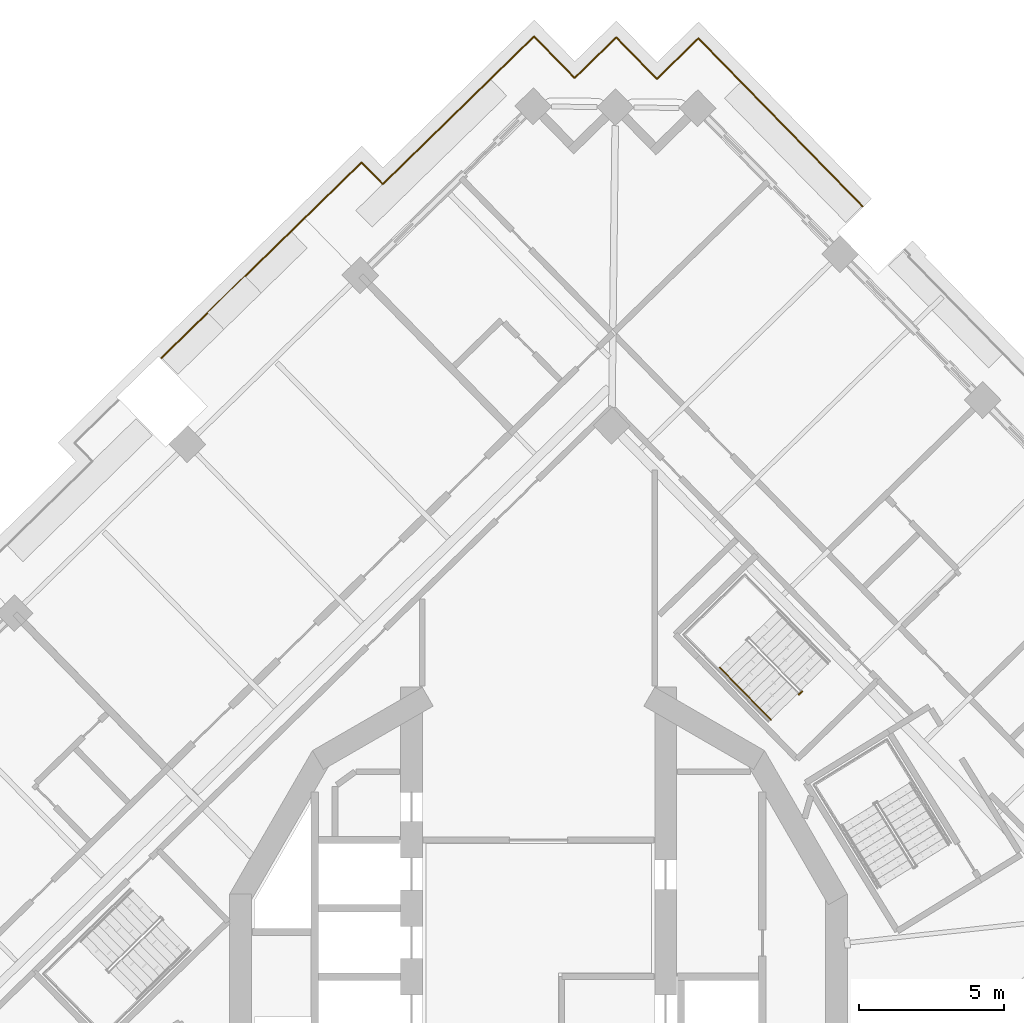
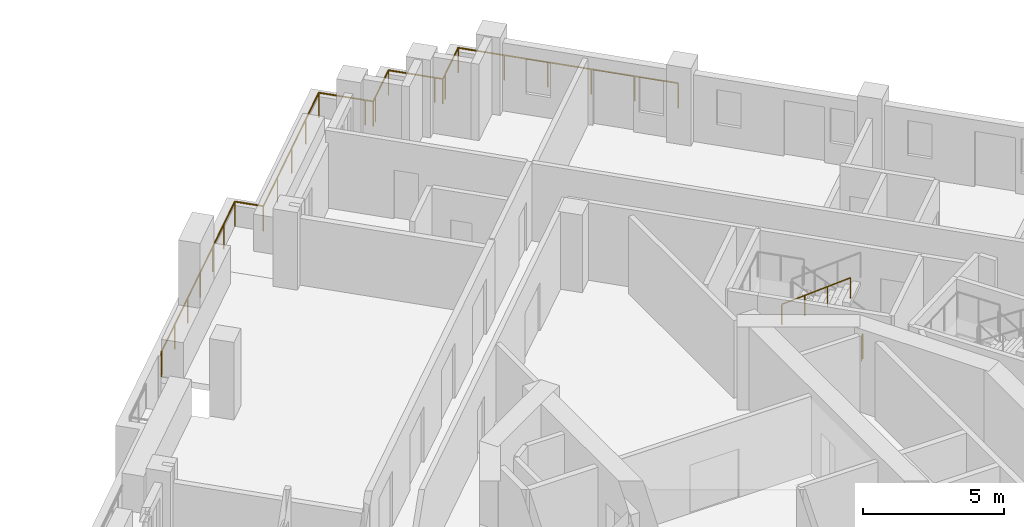
# One storey, part 16 of 19: 3 railings.
"""IFC4 building model written with IfcOpenShell, lengths in metres."""

from ifc_helpers import new_model, si_unit, direction, frame, origin, origin_2d, place, context, subcontext, project, spatial, circle, extrude, material, type_object, element, save


model = new_model("IFC4")

# Units and contexts
model_context = context("Model", 3, precision=1e-05, world=origin(), true_north=direction((0.0, 1.0)))
body_context = subcontext(model_context, "Body", "Model", "MODEL_VIEW")
ifc_project = project(units=[si_unit("LENGTHUNIT", "METRE"), si_unit("AREAUNIT", "SQUARE_METRE"), si_unit("VOLUMEUNIT", "CUBIC_METRE"), si_unit("PLANEANGLEUNIT", "RADIAN"), si_unit("MASSUNIT", "GRAM", prefix="KILO")], contexts=[model_context])

# Site, building, storey
site_placement = place(None, origin())
site = spatial("IfcSite", under=ifc_project, at=site_placement, CompositionType="ELEMENT")
building_placement = place(site_placement, origin())
building = spatial("IfcBuilding", under=site, at=building_placement, Name="Cantera Rosa Tower", CompositionType="ELEMENT")
storey_placement = place(building_placement, frame((0.0, 0.0, 216.199951171875)))
storey = spatial("IfcBuildingStorey", under=building, at=storey_placement, Name="L46", CompositionType="ELEMENT", Elevation=216.199951171875)

# Railings
ifc_material_1 = material(Name="Stainless steel and laminated glass", Category="steel")
railing_type_1 = type_object("IfcRailingType", Name="GUARD 1100", PredefinedType="BALUSTRADE", material=ifc_material_1)
railing_1_placement = place(storey_placement, frame((-12.980712890625, 21.285400390625, 0.0)))
element("IfcRailing", 1, at=railing_1_placement, inside=storey, type_object=railing_type_1, Name="GUARD L46-5", PredefinedType="BALUSTRADE", context=body_context, shape_type="SweptSolid", body=[
    extrude(circle(Radius=0.030029296875, at=origin_2d()), frame((0.0, 0.0, 1.070068359375), z_axis=(0.715257047886, 0.698861470857, 0.0), x_axis=(-0.698861470857, 0.715257047886, 0.0)), (0.0, 0.0, 1.0), 0.119140625),
    extrude(circle(Radius=0.030029296875, at=origin_2d()), frame((0.085205078125, 0.083251953125, 1.070068359375), z_axis=(0.554700196225, 0.832050294338, 0.0), x_axis=(-0.832050294338, 0.554700196225, 0.0)), (0.0, 0.0, 1.0), 0.0009765625),
    extrude(circle(Radius=0.030029296875, at=origin_2d()), frame((0.085693359375, 0.083984375, 1.070068359375), z_axis=(0.715301151788, 0.69881632941, 0.0), x_axis=(-0.69881632941, 0.715301151788, 0.0)), (0.0, 0.0, 1.0), 6.6201171875),
    extrude(circle(Radius=0.030029296875, at=origin_2d()), frame((4.821044921875, 4.710205078125, 1.070068359375), z_axis=(0.894427191, 0.4472135955, 0.0), x_axis=(-0.4472135955, 0.894427191, 0.0)), (0.0, 0.0, 1.0), 0.00048828125),
    extrude(circle(Radius=0.030029296875, at=origin_2d()), frame((4.821533203125, 4.71044921875, 1.070068359375), z_axis=(0.715237003554, 0.698881984849, 0.0), x_axis=(-0.698881984849, 0.715237003554, 0.0)), (0.0, 0.0, 1.0), 2.89599609375),
    extrude(circle(Radius=0.030029296875, at=origin_2d()), frame((6.892822265625, 6.734375, 1.070068359375), z_axis=(0.698894981682, -0.715224303684, 0.0), x_axis=(0.715224303684, 0.698894981682, 0.0)), (0.0, 0.0, 1.0), 1.046630859375),
    extrude(circle(Radius=0.030029296875, at=origin_2d()), frame((7.624267578125, 5.98583984375, 1.070068359375), z_axis=(0.715294189675, 0.698823455686, 0.0), x_axis=(-0.698823455686, 0.715294189675, 0.0)), (0.0, 0.0, 1.0), 5.5732421875),
    extrude(circle(Radius=0.030029296875, at=origin_2d()), frame((11.61083984375, 9.880615234375, 1.070068359375), z_axis=(0.715316077832, 0.69880105094, 0.0), x_axis=(-0.69880105094, 0.715316077832, 0.0)), (0.0, 0.0, 1.0), 1.699951171875),
    extrude(circle(Radius=0.030029296875, at=origin_2d()), frame((12.826904296875, 11.068603515625, 1.070068359375), z_axis=(0.698872839675, -0.715245939495, 0.0), x_axis=(0.715245939495, 0.698872839675, 0.0)), (0.0, 0.0, 1.0), 1.699951171875),
    extrude(circle(Radius=0.030029296875, at=origin_2d()), frame((14.014892578125, 9.852783203125, 1.070068359375), z_axis=(0.698506948293, -0.715603272202, 0.0), x_axis=(0.715603272202, 0.698506948293, 0.0)), (0.0, 0.0, 1.0), 0.2998046875),
    extrude(circle(Radius=0.030029296875, at=origin_2d()), frame((14.224365234375, 9.63818359375, 1.070068359375), z_axis=(0.715196445894, 0.698923489218, 0.0), x_axis=(-0.698923489218, 0.715196445894, 0.0)), (0.0, 0.0, 1.0), 0.300048828125),
    extrude(circle(Radius=0.030029296875, at=origin_2d()), frame((14.43896484375, 9.847900390625, 1.070068359375), z_axis=(0.715316077832, 0.69880105094, 0.0), x_axis=(-0.69880105094, 0.715316077832, 0.0)), (0.0, 0.0, 1.0), 1.699951171875),
    extrude(circle(Radius=0.030029296875, at=origin_2d()), frame((15.655029296875, 11.035888671875, 1.070068359375), z_axis=(0.69880105094, -0.715316077832, 0.0), x_axis=(0.715316077832, 0.69880105094, 0.0)), (0.0, 0.0, 1.0), 1.699951171875),
    extrude(circle(Radius=0.030029296875, at=origin_2d()), frame((16.843017578125, 9.81982421875, 1.070068359375), z_axis=(0.698923489218, -0.715196445894, 0.0), x_axis=(0.715196445894, 0.698923489218, 0.0)), (0.0, 0.0, 1.0), 0.300048828125),
    extrude(circle(Radius=0.030029296875, at=origin_2d()), frame((17.052734375, 9.605224609375, 1.070068359375), z_axis=(0.715196445894, 0.698923489218, 0.0), x_axis=(-0.698923489218, 0.715196445894, 0.0)), (0.0, 0.0, 1.0), 0.300048828125),
    extrude(circle(Radius=0.030029296875, at=origin_2d()), frame((17.267333984375, 9.81494140625, 1.070068359375), z_axis=(0.715316077832, 0.69880105094, 0.0), x_axis=(-0.69880105094, 0.715316077832, 0.0)), (0.0, 0.0, 1.0), 1.699951171875),
    extrude(circle(Radius=0.030029296875, at=origin_2d()), frame((18.4833984375, 11.0029296875, 1.070068359375), z_axis=(0.69880105094, -0.715316077832, 0.0), x_axis=(0.715316077832, 0.69880105094, 0.0)), (0.0, 0.0, 1.0), 1.699951171875),
    extrude(circle(Radius=0.030029296875, at=origin_2d()), frame((19.67138671875, 9.786865234375, 1.070068359375), z_axis=(0.698825008445, -0.715292672668, 0.0), x_axis=(0.715292672668, 0.698825008445, 0.0)), (0.0, 0.0, 1.0), 6.389892578125),
    extrude(circle(Radius=0.02490234375, at=origin_2d()), origin(), (0.0, 0.0, 1.0), 1.0400390625),
    extrude(circle(Radius=0.02490234375, at=origin_2d()), frame((0.085205078125, 0.083251953125, 0.0)), (0.0, 0.0, 1.0), 1.0400390625),
    extrude(circle(Radius=0.02490234375, at=origin_2d()), frame((0.085693359375, 0.083984375, 0.0)), (0.0, 0.0, 1.0), 1.0400390625),
    extrude(circle(Radius=0.02490234375, at=origin_2d()), frame((1.26953125, 1.240478515625, 0.0)), (0.0, 0.0, 1.0), 1.0400390625),
    extrude(circle(Radius=0.02490234375, at=origin_2d()), frame((2.453369140625, 2.39697265625, 0.0)), (0.0, 0.0, 1.0), 1.0400390625),
    extrude(circle(Radius=0.02490234375, at=origin_2d()), frame((3.63720703125, 3.5537109375, 0.0)), (0.0, 0.0, 1.0), 1.0400390625),
    extrude(circle(Radius=0.02490234375, at=origin_2d()), frame((4.821044921875, 4.710205078125, 0.0)), (0.0, 0.0, 1.0), 1.0400390625),
    extrude(circle(Radius=0.02490234375, at=origin_2d()), frame((4.821533203125, 4.71044921875, 0.0)), (0.0, 0.0, 1.0), 1.0400390625),
    extrude(circle(Radius=0.02490234375, at=origin_2d()), frame((5.857177734375, 5.722412109375, 0.0)), (0.0, 0.0, 1.0), 1.0400390625),
    extrude(circle(Radius=0.02490234375, at=origin_2d()), frame((6.892822265625, 6.734375, 0.0)), (0.0, 0.0, 1.0), 1.0400390625),
    extrude(circle(Radius=0.02490234375, at=origin_2d()), frame((7.624267578125, 5.98583984375, 0.0)), (0.0, 0.0, 1.0), 1.0400390625),
    extrude(circle(Radius=0.02490234375, at=origin_2d()), frame((8.953125, 7.2841796875, 0.0)), (0.0, 0.0, 1.0), 1.0400390625),
    extrude(circle(Radius=0.02490234375, at=origin_2d()), frame((10.281982421875, 8.582275390625, 0.0)), (0.0, 0.0, 1.0), 1.0400390625),
    extrude(circle(Radius=0.02490234375, at=origin_2d()), frame((11.61083984375, 9.880615234375, 0.0)), (0.0, 0.0, 1.0), 1.0400390625),
    extrude(circle(Radius=0.02490234375, at=origin_2d()), frame((12.826904296875, 11.068603515625, 0.0)), (0.0, 0.0, 1.0), 1.0400390625),
    extrude(circle(Radius=0.02490234375, at=origin_2d()), frame((14.014892578125, 9.852783203125, 0.0)), (0.0, 0.0, 1.0), 1.0400390625),
    extrude(circle(Radius=0.02490234375, at=origin_2d()), frame((14.224365234375, 9.63818359375, 0.0)), (0.0, 0.0, 1.0), 1.0400390625),
    extrude(circle(Radius=0.02490234375, at=origin_2d()), frame((14.43896484375, 9.847900390625, 0.0)), (0.0, 0.0, 1.0), 1.0400390625),
    extrude(circle(Radius=0.02490234375, at=origin_2d()), frame((15.655029296875, 11.035888671875, 0.0)), (0.0, 0.0, 1.0), 1.0400390625),
    extrude(circle(Radius=0.02490234375, at=origin_2d()), frame((16.843017578125, 9.81982421875, 0.0)), (0.0, 0.0, 1.0), 1.0400390625),
    extrude(circle(Radius=0.02490234375, at=origin_2d()), frame((17.052734375, 9.605224609375, 0.0)), (0.0, 0.0, 1.0), 1.0400390625),
    extrude(circle(Radius=0.02490234375, at=origin_2d()), frame((17.267333984375, 9.81494140625, 0.0)), (0.0, 0.0, 1.0), 1.0400390625),
    extrude(circle(Radius=0.02490234375, at=origin_2d()), frame((18.4833984375, 11.0029296875, 0.0)), (0.0, 0.0, 1.0), 1.0400390625),
    extrude(circle(Radius=0.02490234375, at=origin_2d()), frame((19.67138671875, 9.786865234375, 0.0)), (0.0, 0.0, 1.0), 1.0400390625),
    extrude(circle(Radius=0.02490234375, at=origin_2d()), frame((20.78759765625, 8.644287109375, 0.0)), (0.0, 0.0, 1.0), 1.0400390625),
    extrude(circle(Radius=0.02490234375, at=origin_2d()), frame((21.904052734375, 7.50146484375, 0.0)), (0.0, 0.0, 1.0), 1.0400390625),
    extrude(circle(Radius=0.02490234375, at=origin_2d()), frame((23.0205078125, 6.35888671875, 0.0)), (0.0, 0.0, 1.0), 1.0400390625),
    extrude(circle(Radius=0.02490234375, at=origin_2d()), frame((24.13671875, 5.21630859375, 0.0)), (0.0, 0.0, 1.0), 1.0400390625),
])
ifc_material_2 = material(Name="Steel S355J2 (EN 10025-2)", Category="steel")
railing_type_2 = type_object("IfcRailingType", Name="STAIR GUARD 1100", PredefinedType="GUARDRAIL", material=ifc_material_2)
railing_2_placement = place(storey_placement, frame((9.06689453125, 9.815185546875, 0.0)))
element("IfcRailing", 2, at=railing_2_placement, inside=storey, type_object=railing_type_2, Name="L46 ST-42 stair guard 3", PredefinedType="GUARDRAIL", context=body_context, shape_type="SweptSolid", body=[
    extrude(circle(Radius=0.02392578125, at=origin_2d()), frame((0.0, 0.0, 1.076171875), z_axis=(-0.715205710557, -0.698914008722, 0.0), x_axis=(0.698914008722, -0.715205710557, 0.0)), (0.0, 0.0, 1.0), 0.14990234375),
    extrude(circle(Radius=0.02099609375, at=origin_2d()), origin(), (0.0, 0.0, 1.0), 1.052001953125),
    extrude(circle(Radius=0.02099609375, at=origin_2d()), frame((-0.107177734375, -0.104736328125, 0.0)), (0.0, 0.0, 1.0), 1.052001953125),
])
ifc_material_3 = material(Name="Steel S355J2 (EN 10025-2)", Category="steel")
railing_type_3 = type_object("IfcRailingType", Name="STAIR HANDRAIL 900", PredefinedType="HANDRAIL", material=ifc_material_3)
railing_3_placement = place(storey_placement, frame((6.23388671875, 10.64013671875, 1.97998046875)))
element("IfcRailing", 3, at=railing_3_placement, inside=storey, type_object=railing_type_3, Name="L46 ST-42 stair handrail 2", PredefinedType="HANDRAIL", context=body_context, shape_type="SweptSolid", body=[
    extrude(circle(Radius=0.02392578125, at=origin_2d()), frame((0.0, 0.0, 0.8759765625), z_axis=(0.587818193466, -0.601672219931, 0.54079599776), x_axis=(0.715293958342, 0.698823692472, 0.0)), (0.0, 0.0, 1.0), 2.995849609375),
    extrude(circle(Radius=0.02099609375, at=origin_2d()), origin(), (0.0, 0.0, 1.0), 0.851806640625),
    extrude(circle(Radius=0.02099609375, at=origin_2d()), frame((0.5869140625, -0.600830078125, 0.5400390625)), (0.0, 0.0, 1.0), 0.851806640625),
    extrude(circle(Radius=0.02099609375, at=origin_2d()), frame((1.174072265625, -1.20166015625, 1.080078125)), (0.0, 0.0, 1.0), 0.851806640625),
    extrude(circle(Radius=0.02099609375, at=origin_2d()), frame((1.760986328125, -1.802490234375, 1.6201171875)), (0.0, 0.0, 1.0), 0.851806640625),
])

save(model, "model.ifc")
